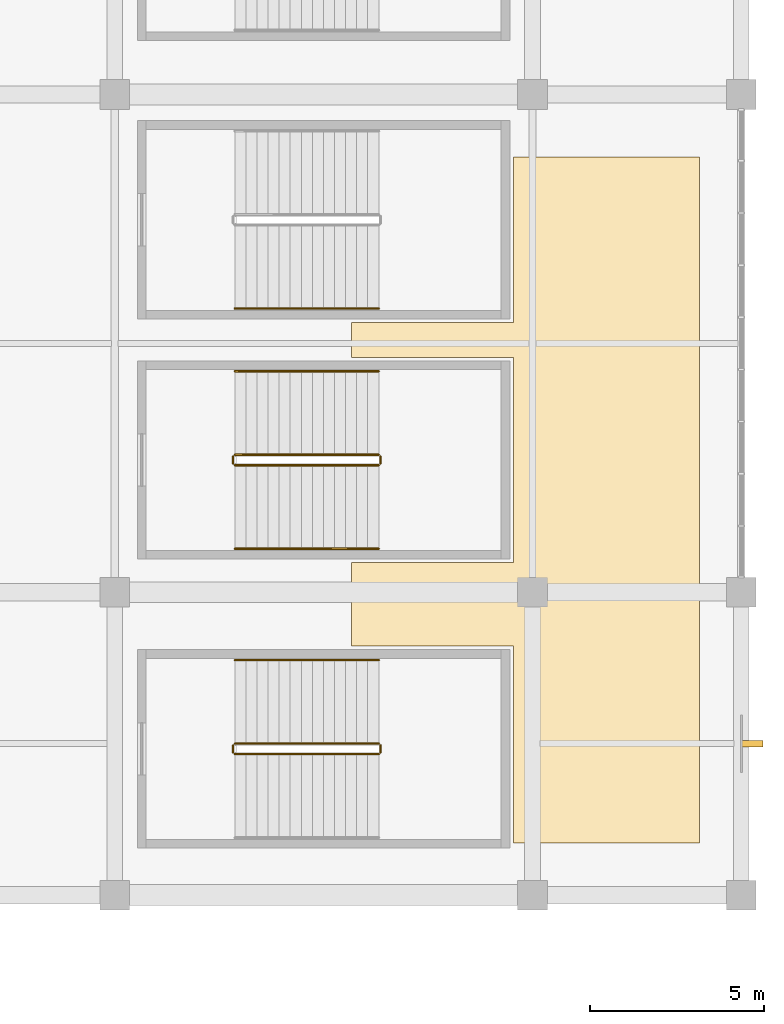
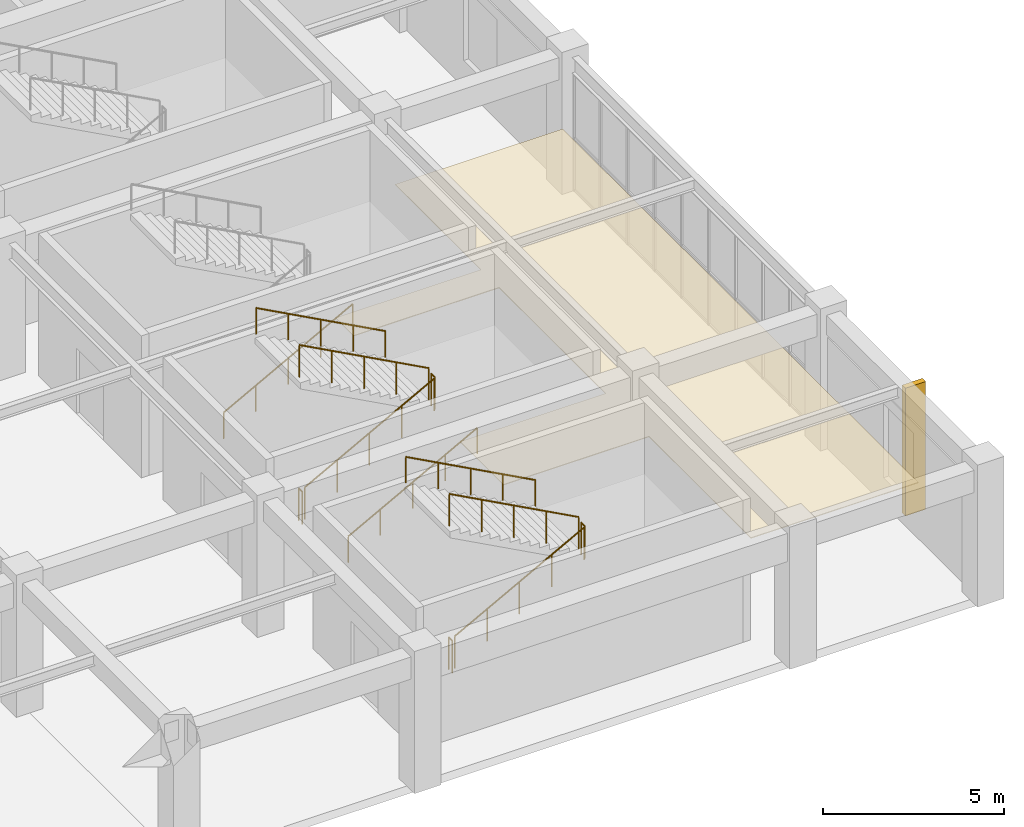
# One storey, part 105 of 112: 12 railings, 1 covering, 1 shading device.
"""IFC4 building model written with IfcOpenShell, lengths in metres."""

from ifc_helpers import new_model, si_unit, direction, frame, origin, origin_2d, place, context, subcontext, project, spatial, polyline, rectangle, circle, outline, extrude, material, layer, layer_set, type_object, element, save


model = new_model("IFC4")

# Units and contexts
model_context = context("Model", 3, precision=1e-05, world=origin(), true_north=direction((0.0, 1.0)))
body_context = subcontext(model_context, "Body", "Model", "MODEL_VIEW")
ifc_project = project(units=[si_unit("LENGTHUNIT", "METRE"), si_unit("AREAUNIT", "SQUARE_METRE"), si_unit("VOLUMEUNIT", "CUBIC_METRE"), si_unit("PLANEANGLEUNIT", "RADIAN"), si_unit("MASSUNIT", "GRAM", prefix="KILO")], contexts=[model_context])

# Site, building, storey
site_placement = place(None, origin())
site = spatial("IfcSite", under=ifc_project, at=site_placement, CompositionType="ELEMENT")
building_placement = place(site_placement, origin())
building = spatial("IfcBuilding", under=site, at=building_placement, Name="Cuetzalor Civic Arena", CompositionType="ELEMENT")
storey_placement = place(building_placement, frame((0.0, 0.0, 11.39990234375)))
storey = spatial("IfcBuildingStorey", under=building, at=storey_placement, Name="L02", CompositionType="ELEMENT", Elevation=11.39990234375)

# Covering
ifc_material_1 = material(Name="Perforated acoustic mineral ceiling board", Category="gypsum")
ifc_layer = layer(ifc_material_1, 0.02490234375)
ifc_layer_set = layer_set([ifc_layer], Name="Perforated acoustic mineral ceiling board")
covering_type = type_object("IfcCoveringType", Name="AcousticMineralCeiling_25", PredefinedType="CEILING", material=ifc_layer_set)
covering_placement = place(storey_placement, frame((0.0, 0.0, 3.300048828125)))
element("IfcCovering", 1, at=covering_placement, inside=storey, type_object=covering_type, Name="Club Lounge East Acoustic Ceiling", PredefinedType="CEILING", context=body_context, shape_type="SweptSolid", body=[
    extrude(outline(polyline([(80.800048828125, -35.800048828125), (80.800048828125, -55.5), (75.449951171875, -55.5), (75.449951171875, -49.85009765625), (70.800048828125, -49.85009765625), (70.800048828125, -47.449951171875), (75.449951171875, -47.449951171875), (75.449951171875, -41.550048828125), (70.800048828125, -41.550048828125), (70.800048828125, -40.550048828125), (75.449951171875, -40.550048828125), (75.449951171875, -35.800048828125), (80.800048828125, -35.800048828125)])), origin(), (0.0, 0.0, 1.0), 0.025146484375),
])

# Railings
ifc_material_2 = material(Name="Reseda-green architectural Steel S355 balustrade", Category="steel")
railing_type_1 = type_object("IfcRailingType", Name="InteriorVoidBalustrade_1100", PredefinedType="BALUSTRADE", material=ifc_material_2)
railing_1_placement = place(storey_placement, frame((67.449951171875, -52.949951171875, 0.171630859375)))
element("IfcRailing", 2, at=railing_1_placement, inside=storey, type_object=railing_type_1, Name="L02 ST-18 stair guard 1", PredefinedType="BALUSTRADE", context=body_context, shape_type="SweptSolid", body=[
    extrude(circle(Radius=0.02392578125, at=origin_2d()), frame((0.0, 0.0, 1.0810546875), z_axis=(0.880248997335, 0.0, 0.474512068014), x_axis=(0.0, 1.0, 0.0)), (0.0, 0.0, 1.0), 4.696533203125),
    extrude(circle(Radius=0.02099609375, at=origin_2d()), origin(), (0.0, 0.0, 1.0), 1.056884765625),
    extrude(circle(Radius=0.02099609375, at=origin_2d()), frame((1.033447265625, 0.0, 0.55712890625)), (0.0, 0.0, 1.0), 1.056884765625),
    extrude(circle(Radius=0.02099609375, at=origin_2d()), frame((2.06689453125, 0.0, 1.1142578125)), (0.0, 0.0, 1.0), 1.056884765625),
    extrude(circle(Radius=0.02099609375, at=origin_2d()), frame((3.1005859375, 0.0, 1.67138671875)), (0.0, 0.0, 1.0), 1.056884765625),
    extrude(circle(Radius=0.02099609375, at=origin_2d()), frame((4.134033203125, 0.0, 2.228515625)), (0.0, 0.0, 1.0), 1.056884765625),
])
railing_2_placement = place(storey_placement, frame((71.634033203125, -52.89990234375, 2.400146484375)))
element("IfcRailing", 3, at=railing_2_placement, inside=storey, type_object=railing_type_1, Name="L02 ST-18 stair guard 2", PredefinedType="BALUSTRADE", context=body_context, shape_type="SweptSolid", body=[
    extrude(circle(Radius=0.02392578125, at=origin_2d()), frame((0.0, 0.0, 1.0810546875), z_axis=(0.0, 1.0, 0.0), x_axis=(-1.0, 0.0, 0.0)), (0.0, 0.0, 1.0), 0.199951171875),
    extrude(circle(Radius=0.02099609375, at=origin_2d()), origin(), (0.0, 0.0, 1.0), 1.056884765625),
    extrude(circle(Radius=0.02099609375, at=origin_2d()), frame((0.0, 0.199951171875, 0.0)), (0.0, 0.0, 1.0), 1.056884765625),
])
railing_3_placement = place(storey_placement, frame((71.583984375, -52.64990234375, 2.571533203125)))
element("IfcRailing", 4, at=railing_3_placement, inside=storey, type_object=railing_type_1, Name="L02 ST-18 stair guard 3", PredefinedType="BALUSTRADE", context=body_context, shape_type="SweptSolid", body=[
    extrude(circle(Radius=0.02392578125, at=origin_2d()), frame((0.0, 0.0, 1.0810546875), z_axis=(-0.880248997335, 0.0, 0.474512068014), x_axis=(0.0, -1.0, 0.0)), (0.0, 0.0, 1.0), 4.696533203125),
    extrude(circle(Radius=0.02099609375, at=origin_2d()), origin(), (0.0, 0.0, 1.0), 1.056884765625),
    extrude(circle(Radius=0.02099609375, at=origin_2d()), frame((-1.033447265625, 0.0, 0.55712890625)), (0.0, 0.0, 1.0), 1.056884765625),
    extrude(circle(Radius=0.02099609375, at=origin_2d()), frame((-2.06689453125, 0.0, 1.1142578125)), (0.0, 0.0, 1.0), 1.056884765625),
    extrude(circle(Radius=0.02099609375, at=origin_2d()), frame((-3.1005859375, 0.0, 1.67138671875)), (0.0, 0.0, 1.0), 1.056884765625),
    extrude(circle(Radius=0.02099609375, at=origin_2d()), frame((-4.134033203125, 0.0, 2.228515625)), (0.0, 0.0, 1.0), 1.056884765625),
])
railing_4_placement = place(storey_placement, frame((67.39990234375, -52.89990234375, 0.0)))
element("IfcRailing", 5, at=railing_4_placement, inside=storey, type_object=railing_type_1, Name="L02 ST-18 stair guard 4", PredefinedType="BALUSTRADE", context=body_context, shape_type="SweptSolid", body=[
    extrude(circle(Radius=0.02392578125, at=origin_2d()), frame((0.0, 0.0, 1.0810546875), z_axis=(0.0, 1.0, 0.0), x_axis=(-1.0, 0.0, 0.0)), (0.0, 0.0, 1.0), 0.199951171875),
    extrude(circle(Radius=0.02099609375, at=origin_2d()), origin(), (0.0, 0.0, 1.0), 1.056884765625),
    extrude(circle(Radius=0.02099609375, at=origin_2d()), frame((0.0, 0.199951171875, 0.0)), (0.0, 0.0, 1.0), 1.056884765625),
])
railing_5_placement = place(storey_placement, frame((67.449951171875, -44.64990234375, 0.171630859375)))
element("IfcRailing", 6, at=railing_5_placement, inside=storey, type_object=railing_type_1, Name="L02 ST-19 stair guard 1", PredefinedType="BALUSTRADE", context=body_context, shape_type="SweptSolid", body=[
    extrude(circle(Radius=0.02392578125, at=origin_2d()), frame((0.0, 0.0, 1.0810546875), z_axis=(0.880248997335, 0.0, 0.474512068014), x_axis=(0.0, 1.0, 0.0)), (0.0, 0.0, 1.0), 4.696533203125),
    extrude(circle(Radius=0.02099609375, at=origin_2d()), origin(), (0.0, 0.0, 1.0), 1.056884765625),
    extrude(circle(Radius=0.02099609375, at=origin_2d()), frame((1.033447265625, 0.0, 0.55712890625)), (0.0, 0.0, 1.0), 1.056884765625),
    extrude(circle(Radius=0.02099609375, at=origin_2d()), frame((2.06689453125, 0.0, 1.1142578125)), (0.0, 0.0, 1.0), 1.056884765625),
    extrude(circle(Radius=0.02099609375, at=origin_2d()), frame((3.1005859375, 0.0, 1.67138671875)), (0.0, 0.0, 1.0), 1.056884765625),
    extrude(circle(Radius=0.02099609375, at=origin_2d()), frame((4.134033203125, 0.0, 2.228515625)), (0.0, 0.0, 1.0), 1.056884765625),
])
railing_6_placement = place(storey_placement, frame((71.634033203125, -44.60009765625, 2.400146484375)))
element("IfcRailing", 7, at=railing_6_placement, inside=storey, type_object=railing_type_1, Name="L02 ST-19 stair guard 2", PredefinedType="BALUSTRADE", context=body_context, shape_type="SweptSolid", body=[
    extrude(circle(Radius=0.02392578125, at=origin_2d()), frame((0.0, 0.0, 1.0810546875), z_axis=(0.0, 1.0, 0.0), x_axis=(-1.0, 0.0, 0.0)), (0.0, 0.0, 1.0), 0.2001953125),
    extrude(circle(Radius=0.02099609375, at=origin_2d()), origin(), (0.0, 0.0, 1.0), 1.056884765625),
    extrude(circle(Radius=0.02099609375, at=origin_2d()), frame((0.0, 0.2001953125, 0.0)), (0.0, 0.0, 1.0), 1.056884765625),
])
railing_7_placement = place(storey_placement, frame((71.583984375, -44.35009765625, 2.571533203125)))
element("IfcRailing", 8, at=railing_7_placement, inside=storey, type_object=railing_type_1, Name="L02 ST-19 stair guard 3", PredefinedType="BALUSTRADE", context=body_context, shape_type="SweptSolid", body=[
    extrude(circle(Radius=0.02392578125, at=origin_2d()), frame((0.0, 0.0, 1.0810546875), z_axis=(-0.880248997335, 0.0, 0.474512068014), x_axis=(0.0, -1.0, 0.0)), (0.0, 0.0, 1.0), 4.696533203125),
    extrude(circle(Radius=0.02099609375, at=origin_2d()), origin(), (0.0, 0.0, 1.0), 1.056884765625),
    extrude(circle(Radius=0.02099609375, at=origin_2d()), frame((-1.033447265625, 0.0, 0.55712890625)), (0.0, 0.0, 1.0), 1.056884765625),
    extrude(circle(Radius=0.02099609375, at=origin_2d()), frame((-2.06689453125, 0.0, 1.1142578125)), (0.0, 0.0, 1.0), 1.056884765625),
    extrude(circle(Radius=0.02099609375, at=origin_2d()), frame((-3.1005859375, 0.0, 1.67138671875)), (0.0, 0.0, 1.0), 1.056884765625),
    extrude(circle(Radius=0.02099609375, at=origin_2d()), frame((-4.134033203125, 0.0, 2.228515625)), (0.0, 0.0, 1.0), 1.056884765625),
])
railing_8_placement = place(storey_placement, frame((67.39990234375, -44.60009765625, 0.0)))
element("IfcRailing", 9, at=railing_8_placement, inside=storey, type_object=railing_type_1, Name="L02 ST-19 stair guard 4", PredefinedType="BALUSTRADE", context=body_context, shape_type="SweptSolid", body=[
    extrude(circle(Radius=0.02392578125, at=origin_2d()), frame((0.0, 0.0, 1.0810546875), z_axis=(0.0, 1.0, 0.0), x_axis=(-1.0, 0.0, 0.0)), (0.0, 0.0, 1.0), 0.2001953125),
    extrude(circle(Radius=0.02099609375, at=origin_2d()), origin(), (0.0, 0.0, 1.0), 1.056884765625),
    extrude(circle(Radius=0.02099609375, at=origin_2d()), frame((0.0, 0.2001953125, 0.0)), (0.0, 0.0, 1.0), 1.056884765625),
])
ifc_material_3 = material(Name="Galvanised steel S355", Category="steel")
railing_type_2 = type_object("IfcRailingType", Name="StairPitchHandrail_900", PredefinedType="HANDRAIL", material=ifc_material_3)
railing_9_placement = place(storey_placement, frame((71.583984375, -50.25, 2.571533203125)))
element("IfcRailing", 10, at=railing_9_placement, inside=storey, type_object=railing_type_2, Name="L02 ST-18 stair handrail 2", PredefinedType="HANDRAIL", context=body_context, shape_type="SweptSolid", body=[
    extrude(circle(Radius=0.02392578125, at=origin_2d()), frame((0.0, 0.0, 0.8759765625), z_axis=(-0.880248997335, 0.0, 0.474512068014), x_axis=(0.0, -1.0, 0.0)), (0.0, 0.0, 1.0), 4.696533203125),
    extrude(circle(Radius=0.02099609375, at=origin_2d()), origin(), (0.0, 0.0, 1.0), 0.851806640625),
    extrude(circle(Radius=0.02099609375, at=origin_2d()), frame((-1.033447265625, 0.0, 0.55712890625)), (0.0, 0.0, 1.0), 0.851806640625),
    extrude(circle(Radius=0.02099609375, at=origin_2d()), frame((-2.06689453125, 0.0, 1.1142578125)), (0.0, 0.0, 1.0), 0.851806640625),
    extrude(circle(Radius=0.02099609375, at=origin_2d()), frame((-3.1005859375, 0.0, 1.67138671875)), (0.0, 0.0, 1.0), 0.851806640625),
    extrude(circle(Radius=0.02099609375, at=origin_2d()), frame((-4.134033203125, 0.0, 2.228515625)), (0.0, 0.0, 1.0), 0.851806640625),
])
railing_10_placement = place(storey_placement, frame((67.449951171875, -47.050048828125, 0.171630859375)))
element("IfcRailing", 11, at=railing_10_placement, inside=storey, type_object=railing_type_2, Name="L02 ST-19 stair handrail 1", PredefinedType="HANDRAIL", context=body_context, shape_type="SweptSolid", body=[
    extrude(circle(Radius=0.02392578125, at=origin_2d()), frame((0.0, 0.0, 0.8759765625), z_axis=(0.880248997335, 0.0, 0.474512068014), x_axis=(0.0, 1.0, 0.0)), (0.0, 0.0, 1.0), 4.696533203125),
    extrude(circle(Radius=0.02099609375, at=origin_2d()), origin(), (0.0, 0.0, 1.0), 0.851806640625),
    extrude(circle(Radius=0.02099609375, at=origin_2d()), frame((1.033447265625, 0.0, 0.55712890625)), (0.0, 0.0, 1.0), 0.851806640625),
    extrude(circle(Radius=0.02099609375, at=origin_2d()), frame((2.06689453125, 0.0, 1.1142578125)), (0.0, 0.0, 1.0), 0.851806640625),
    extrude(circle(Radius=0.02099609375, at=origin_2d()), frame((3.1005859375, 0.0, 1.67138671875)), (0.0, 0.0, 1.0), 0.851806640625),
    extrude(circle(Radius=0.02099609375, at=origin_2d()), frame((4.134033203125, 0.0, 2.228515625)), (0.0, 0.0, 1.0), 0.851806640625),
])
railing_11_placement = place(storey_placement, frame((71.583984375, -41.949951171875, 2.571533203125)))
element("IfcRailing", 12, at=railing_11_placement, inside=storey, type_object=railing_type_2, Name="L02 ST-19 stair handrail 2", PredefinedType="HANDRAIL", context=body_context, shape_type="SweptSolid", body=[
    extrude(circle(Radius=0.02392578125, at=origin_2d()), frame((0.0, 0.0, 0.8759765625), z_axis=(-0.880248997335, 0.0, 0.474512068014), x_axis=(0.0, -1.0, 0.0)), (0.0, 0.0, 1.0), 4.696533203125),
    extrude(circle(Radius=0.02099609375, at=origin_2d()), origin(), (0.0, 0.0, 1.0), 0.851806640625),
    extrude(circle(Radius=0.02099609375, at=origin_2d()), frame((-1.033447265625, 0.0, 0.55712890625)), (0.0, 0.0, 1.0), 0.851806640625),
    extrude(circle(Radius=0.02099609375, at=origin_2d()), frame((-2.06689453125, 0.0, 1.1142578125)), (0.0, 0.0, 1.0), 0.851806640625),
    extrude(circle(Radius=0.02099609375, at=origin_2d()), frame((-3.1005859375, 0.0, 1.67138671875)), (0.0, 0.0, 1.0), 0.851806640625),
    extrude(circle(Radius=0.02099609375, at=origin_2d()), frame((-4.134033203125, 0.0, 2.228515625)), (0.0, 0.0, 1.0), 0.851806640625),
])
railing_12_placement = place(storey_placement, frame((67.449951171875, -40.14990234375, 0.171630859375)))
element("IfcRailing", 13, at=railing_12_placement, inside=storey, type_object=railing_type_2, Name="L02 ST-20 stair handrail 1", PredefinedType="HANDRAIL", context=body_context, shape_type="SweptSolid", body=[
    extrude(circle(Radius=0.02392578125, at=origin_2d()), frame((0.0, 0.0, 0.8759765625), z_axis=(0.880248997335, 0.0, 0.474512068014), x_axis=(0.0, 1.0, 0.0)), (0.0, 0.0, 1.0), 4.696533203125),
    extrude(circle(Radius=0.02099609375, at=origin_2d()), origin(), (0.0, 0.0, 1.0), 0.851806640625),
    extrude(circle(Radius=0.02099609375, at=origin_2d()), frame((1.033447265625, 0.0, 0.55712890625)), (0.0, 0.0, 1.0), 0.851806640625),
    extrude(circle(Radius=0.02099609375, at=origin_2d()), frame((2.06689453125, 0.0, 1.1142578125)), (0.0, 0.0, 1.0), 0.851806640625),
    extrude(circle(Radius=0.02099609375, at=origin_2d()), frame((3.1005859375, 0.0, 1.67138671875)), (0.0, 0.0, 1.0), 0.851806640625),
    extrude(circle(Radius=0.02099609375, at=origin_2d()), frame((4.134033203125, 0.0, 2.228515625)), (0.0, 0.0, 1.0), 0.851806640625),
])

# Shading device
ifc_material_4 = material(Name="Puebla cantera gris stone and bronze fin", Category="masonry")
shading_device_type = type_object("IfcShadingDeviceType", Name="VerticalCanteraSolarFin", PredefinedType="USERDEFINED", material=ifc_material_4)
shading_device_placement = place(storey_placement, frame((82.300048828125, -52.64990234375, 0.10009765625), z_axis=(0.0, 0.0, 1.0), x_axis=(1.0, 0.0, 0.0)))
element("IfcShadingDevice", 14, at=shading_device_placement, inside=storey, type_object=shading_device_type, Name="V4E Vertical Cantera Solar Fin 01", ObjectType="SOLAR FIN", PredefinedType="USERDEFINED", context=body_context, shape_type="SweptSolid", body=[
    extrude(rectangle(XDim=0.64990234375, YDim=0.179931640625, at=origin_2d()), origin(), (0.0, 0.0, 1.0), 4.320068359375),
])

save(model, "model.ifc")
